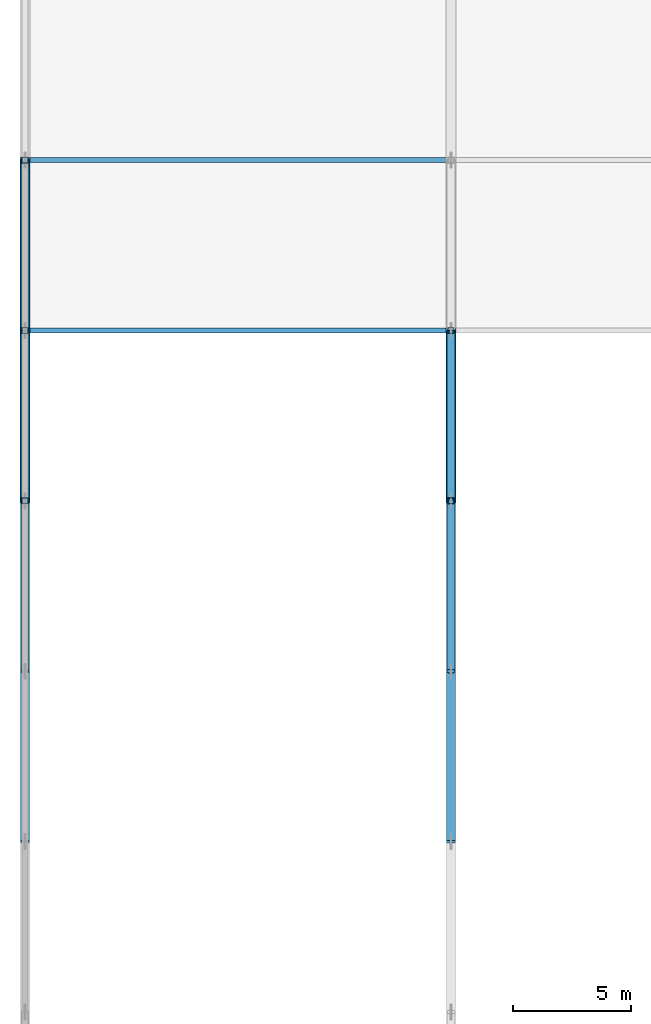
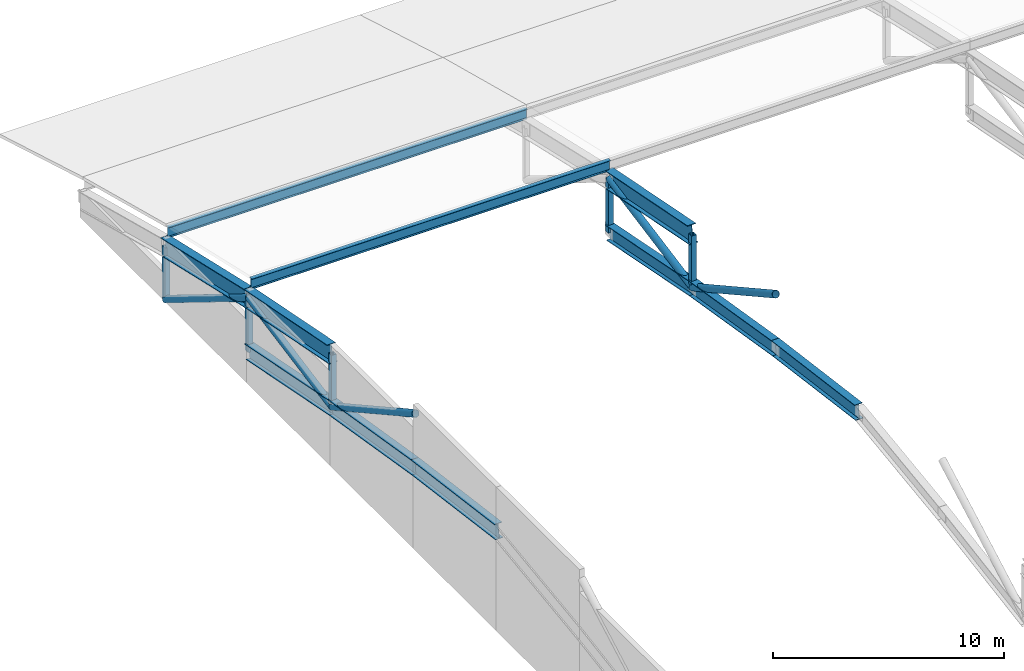
# One storey, part 23 of 124: 21 members.
"""IFC4 building model written with IfcOpenShell, lengths in metres."""

from ifc_helpers import new_model, si_unit, direction, frame, origin, origin_2d, place, context, subcontext, project, spatial, hollow_rectangle, hollow_circle, i_section, extrude, material, material_profile, profile_set, type_object, element, save


model = new_model("IFC4")

# Units and contexts
model_context = context("Model", 3, precision=1e-05, world=origin(), true_north=direction((0.0, 1.0)))
body_context = subcontext(model_context, "Body", "Model", "MODEL_VIEW")
ifc_project = project(units=[si_unit("LENGTHUNIT", "METRE"), si_unit("AREAUNIT", "SQUARE_METRE"), si_unit("VOLUMEUNIT", "CUBIC_METRE"), si_unit("PLANEANGLEUNIT", "RADIAN"), si_unit("MASSUNIT", "GRAM", prefix="KILO")], contexts=[model_context])

# Site, building, storey
site_placement = place(None, origin())
site = spatial("IfcSite", under=ifc_project, at=site_placement, CompositionType="ELEMENT")
building_placement = place(site_placement, origin())
building = spatial("IfcBuilding", under=site, at=building_placement, Name="Celestram Park Convention Centre", CompositionType="ELEMENT")
storey_placement = place(building_placement, frame((0.0, 0.0, 15.300048828125)))
storey = spatial("IfcBuildingStorey", under=building, at=storey_placement, Name="L03", CompositionType="ELEMENT", Elevation=15.300048828125)

# Members
ifc_material_1 = material(Name="Steel ASTM A500 Grade C", Category="steel")
ifc_material_profile_1 = material_profile(ifc_material_1, hollow_circle(Radius=0.177978515625, WallThickness=0.011962890625, at=origin_2d()), Name="CHS356X12")
ifc_profile_set_1 = profile_set([ifc_material_profile_1], Name="Steel ASTM A500 Grade C")
member_type_1 = type_object("IfcMemberType", Name="STR-BRC-CHS356", PredefinedType="BRACE", material=ifc_profile_set_1)
member_1_placement = place(storey_placement, frame((0.0, 72.0, 6.170166015625), z_axis=(0.0, 0.87474706166, -0.484579795407), x_axis=(-1.0, 0.0, 0.0)))
element("IfcMember", 1, at=member_1_placement, inside=storey, type_object=member_type_1, Name="V1 arch web diagonal", PredefinedType="BRACE", context=body_context, shape_type="SweptSolid", body=[
    extrude(hollow_circle(Radius=0.177978515625, WallThickness=0.011962890625, at=origin_2d()), origin(), (0.0, 0.0, 1.0), 8.23095703125),
])
member_2_placement = place(storey_placement, frame((0.0, 79.199951171875, 2.181640625), z_axis=(0.0, 0.982076449011, 0.188483018595), x_axis=(-1.0, 0.0, 0.0)))
element("IfcMember", 2, at=member_2_placement, inside=storey, type_object=member_type_1, Name="V1 arch web diagonal", PredefinedType="BRACE", context=body_context, shape_type="SweptSolid", body=[
    extrude(hollow_circle(Radius=0.177978515625, WallThickness=0.011962890625, at=origin_2d()), origin(), (0.0, 0.0, 1.0), 7.331298828125),
])
member_3_placement = place(storey_placement, frame((0.0, 86.39990234375, 3.5634765625), z_axis=(0.0, 0.850741852858, -0.525583770483), x_axis=(-1.0, 0.0, 0.0)))
element("IfcMember", 3, at=member_3_placement, inside=storey, type_object=member_type_1, Name="V1 arch web diagonal", PredefinedType="BRACE", context=body_context, shape_type="SweptSolid", body=[
    extrude(hollow_circle(Radius=0.177978515625, WallThickness=0.011962890625, at=origin_2d()), origin(), (0.0, 0.0, 1.0), 8.46337890625),
])
member_4_placement = place(storey_placement, frame((18.0, 72.0, 6.170166015625), z_axis=(0.0, 0.87474706166, -0.484579795407), x_axis=(-1.0, 0.0, 0.0)))
element("IfcMember", 4, at=member_4_placement, inside=storey, type_object=member_type_1, Name="V1 arch web diagonal", PredefinedType="BRACE", context=body_context, shape_type="SweptSolid", body=[
    extrude(hollow_circle(Radius=0.177978515625, WallThickness=0.011962890625, at=origin_2d()), origin(), (0.0, 0.0, 1.0), 8.23095703125),
])
member_5_placement = place(storey_placement, frame((18.0, 79.199951171875, 2.181640625), z_axis=(0.0, 0.982076449011, 0.188483018595), x_axis=(-1.0, 0.0, 0.0)))
element("IfcMember", 5, at=member_5_placement, inside=storey, type_object=member_type_1, Name="V1 arch web diagonal", PredefinedType="BRACE", context=body_context, shape_type="SweptSolid", body=[
    extrude(hollow_circle(Radius=0.177978515625, WallThickness=0.011962890625, at=origin_2d()), origin(), (0.0, 0.0, 1.0), 7.331298828125),
])
ifc_material_2 = material(Name="Steel ASTM A992 Grade 50", Category="steel")
ifc_material_profile_2 = material_profile(ifc_material_2, i_section(OverallWidth=0.381103515625, OverallDepth=0.77197265625, WebThickness=0.0166015625, FlangeThickness=0.027099609375, at=origin_2d()), Name="W30X173")
ifc_profile_set_2 = profile_set([ifc_material_profile_2], Name="Steel ASTM A992 Grade 50")
member_type_2 = type_object("IfcMemberType", Name="STR-CHD-W30X173", PredefinedType="CHORD", material=ifc_profile_set_2)
member_6_placement = place(storey_placement, frame((0.0, 64.800048828125, 4.328369140625), z_axis=(0.0, 0.991259283276, -0.131928136952), x_axis=(-1.0, 0.0, 0.0)))
element("IfcMember", 6, at=member_6_placement, inside=storey, type_object=member_type_2, Name="V1 arch bottom chord", PredefinedType="CHORD", context=body_context, shape_type="SweptSolid", body=[
    extrude(i_section(OverallWidth=0.381103515625, OverallDepth=0.77197265625, WebThickness=0.0166015625, FlangeThickness=0.027099609375, at=origin_2d()), origin(), (0.0, 0.0, 1.0), 7.263427734375),
])
member_7_placement = place(storey_placement, frame((0.0, 72.0, 3.3701171875), z_axis=(0.0, 0.986648621514, -0.162863432557), x_axis=(-1.0, 0.0, 0.0)))
element("IfcMember", 7, at=member_7_placement, inside=storey, type_object=member_type_2, Name="V1 arch bottom chord", PredefinedType="CHORD", context=body_context, shape_type="SweptSolid", body=[
    extrude(i_section(OverallWidth=0.381103515625, OverallDepth=0.77197265625, WebThickness=0.0166015625, FlangeThickness=0.027099609375, at=origin_2d()), origin(), (0.0, 0.0, 1.0), 7.29736328125),
])
member_8_placement = place(storey_placement, frame((0.0, 79.199951171875, 2.181640625), z_axis=(0.0, 0.981147221646, -0.193261815827), x_axis=(-1.0, 0.0, 0.0)))
element("IfcMember", 8, at=member_8_placement, inside=storey, type_object=member_type_2, Name="V1 arch bottom chord", PredefinedType="CHORD", context=body_context, shape_type="SweptSolid", body=[
    extrude(i_section(OverallWidth=0.381103515625, OverallDepth=0.77197265625, WebThickness=0.0166015625, FlangeThickness=0.027099609375, at=origin_2d()), origin(), (0.0, 0.0, 1.0), 7.33837890625),
])
member_9_placement = place(storey_placement, frame((18.0, 64.800048828125, 4.328369140625), z_axis=(0.0, 0.991259283276, -0.131928136952), x_axis=(-1.0, 0.0, 0.0)))
element("IfcMember", 9, at=member_9_placement, inside=storey, type_object=member_type_2, Name="V1 arch bottom chord", PredefinedType="CHORD", context=body_context, shape_type="SweptSolid", body=[
    extrude(i_section(OverallWidth=0.381103515625, OverallDepth=0.77197265625, WebThickness=0.0166015625, FlangeThickness=0.027099609375, at=origin_2d()), origin(), (0.0, 0.0, 1.0), 7.263427734375),
])
member_10_placement = place(storey_placement, frame((18.0, 72.0, 3.3701171875), z_axis=(0.0, 0.986648621514, -0.162863432557), x_axis=(-1.0, 0.0, 0.0)))
element("IfcMember", 10, at=member_10_placement, inside=storey, type_object=member_type_2, Name="V1 arch bottom chord", PredefinedType="CHORD", context=body_context, shape_type="SweptSolid", body=[
    extrude(i_section(OverallWidth=0.381103515625, OverallDepth=0.77197265625, WebThickness=0.0166015625, FlangeThickness=0.027099609375, at=origin_2d()), origin(), (0.0, 0.0, 1.0), 7.29736328125),
])
member_11_placement = place(storey_placement, frame((18.0, 79.199951171875, 2.181640625), z_axis=(0.0, 0.981147221646, -0.193261815827), x_axis=(-1.0, 0.0, 0.0)))
element("IfcMember", 11, at=member_11_placement, inside=storey, type_object=member_type_2, Name="V1 arch bottom chord", PredefinedType="CHORD", context=body_context, shape_type="SweptSolid", body=[
    extrude(i_section(OverallWidth=0.381103515625, OverallDepth=0.77197265625, WebThickness=0.0166015625, FlangeThickness=0.027099609375, at=origin_2d()), origin(), (0.0, 0.0, 1.0), 7.33837890625),
])
ifc_material_profile_3 = material_profile(ifc_material_2, i_section(OverallWidth=0.4189453125, OverallDepth=0.927001953125, WebThickness=0.019287109375, FlangeThickness=0.031982421875, at=origin_2d()), Name="W36X231")
ifc_profile_set_3 = profile_set([ifc_material_profile_3], Name="Steel ASTM A992 Grade 50")
member_type_3 = type_object("IfcMemberType", Name="STR-CHD-W36X231", PredefinedType="CHORD", material=ifc_profile_set_3)
member_12_placement = place(storey_placement, frame((0.0, 79.199951171875, 4.981689453125), z_axis=(0.0, 0.981147221646, -0.193261815827), x_axis=(-1.0, 0.0, 0.0)))
element("IfcMember", 12, at=member_12_placement, inside=storey, type_object=member_type_3, Name="V1 arch top chord", PredefinedType="CHORD", context=body_context, shape_type="SweptSolid", body=[
    extrude(i_section(OverallWidth=0.4189453125, OverallDepth=0.927001953125, WebThickness=0.019287109375, FlangeThickness=0.031982421875, at=origin_2d()), origin(), (0.0, 0.0, 1.0), 7.33837890625),
])
member_13_placement = place(storey_placement, frame((0.0, 86.39990234375, 3.5634765625), z_axis=(0.0, 0.974779673899, -0.223169414016), x_axis=(-1.0, 0.0, 0.0)))
element("IfcMember", 13, at=member_13_placement, inside=storey, type_object=member_type_3, Name="V1 arch top chord", PredefinedType="CHORD", context=body_context, shape_type="SweptSolid", body=[
    extrude(i_section(OverallWidth=0.4189453125, OverallDepth=0.927001953125, WebThickness=0.019287109375, FlangeThickness=0.031982421875, at=origin_2d()), origin(), (0.0, 0.0, 1.0), 7.386474609375),
])
member_14_placement = place(storey_placement, frame((18.0, 79.199951171875, 4.981689453125), z_axis=(0.0, 0.981147221646, -0.193261815827), x_axis=(-1.0, 0.0, 0.0)))
element("IfcMember", 14, at=member_14_placement, inside=storey, type_object=member_type_3, Name="V1 arch top chord", PredefinedType="CHORD", context=body_context, shape_type="SweptSolid", body=[
    extrude(i_section(OverallWidth=0.4189453125, OverallDepth=0.927001953125, WebThickness=0.019287109375, FlangeThickness=0.031982421875, at=origin_2d()), origin(), (0.0, 0.0, 1.0), 7.33837890625),
])
ifc_material_profile_4 = material_profile(ifc_material_2, i_section(OverallWidth=0.2099609375, OverallDepth=0.532958984375, WebThickness=0.01025390625, FlangeThickness=0.015625, at=origin_2d()), Name="W21X62")
ifc_profile_set_4 = profile_set([ifc_material_profile_4], Name="Steel ASTM A992 Grade 50")
member_type_4 = type_object("IfcMemberType", Name="STR-RFT-W21X62", PredefinedType="RAFTER", material=ifc_profile_set_4)
for number, where, z_axis, x_axis, name in (
    (15, (0.080078125, 86.39990234375, 4.29345703125), (1.0, 0.0, 0.0), (0.0, 1.0, 0.0), "V1 roof purlin"),
    (16, (0.080078125, 93.60009765625, 2.645263671875), (1.0, 0.0, 0.0), (0.0, 1.0, 0.0), "V1 roof purlin"),
):
    element("IfcMember", number, at=place(storey_placement, frame(where, z_axis=z_axis, x_axis=x_axis)), inside=storey, type_object=member_type_4, Name=name, PredefinedType="RAFTER", context=body_context, shape_type="SweptSolid", body=[
        extrude(i_section(OverallWidth=0.2099609375, OverallDepth=0.532958984375, WebThickness=0.01025390625, FlangeThickness=0.015625, at=origin_2d()), origin(), (0.0, 0.0, 1.0), 17.919921875),
    ])
ifc_material_profile_5 = material_profile(ifc_material_1, hollow_rectangle(XDim=0.25, YDim=0.25, WallThickness=0.011962890625, at=origin_2d()), Name="HSS250X250X12")
ifc_profile_set_5 = profile_set([ifc_material_profile_5], Name="Steel ASTM A500 Grade C")
member_type_5 = type_object("IfcMemberType", Name="STR-STR-HSS250", PredefinedType="STRUT", material=ifc_profile_set_5)
for number, where, z_axis, x_axis, name in (
    (17, (0.0, 79.199951171875, 2.181640625), (0.0, 0.0, 1.0), (1.0, 0.0, 0.0), "V1 arch vertical strut"),
    (18, (0.0, 86.39990234375, 0.763427734375), (0.0, 0.0, 1.0), (1.0, 0.0, 0.0), "V1 arch vertical strut"),
):
    element("IfcMember", number, at=place(storey_placement, frame(where, z_axis=z_axis, x_axis=x_axis)), inside=storey, type_object=member_type_5, Name=name, PredefinedType="STRUT", context=body_context, shape_type="SweptSolid", body=[
        extrude(hollow_rectangle(XDim=0.25, YDim=0.25, WallThickness=0.011962890625, at=origin_2d()), origin(), (0.0, 0.0, 1.0), 2.800048828125),
    ])
member_15_placement = place(storey_placement, frame((0.0, 93.60009765625, -0.884765625), z_axis=(0.0, 0.0, 1.0), x_axis=(1.0, 0.0, 0.0)))
element("IfcMember", 19, at=member_15_placement, inside=storey, type_object=member_type_5, Name="V1 arch vertical strut", PredefinedType="STRUT", context=body_context, shape_type="SweptSolid", body=[
    extrude(hollow_rectangle(XDim=0.25, YDim=0.25, WallThickness=0.011962890625, at=origin_2d()), origin(), (0.0, 0.0, 1.0), 2.7998046875),
])
for number, where, z_axis, x_axis, name in (
    (20, (18.0, 79.199951171875, 2.181640625), (0.0, 0.0, 1.0), (1.0, 0.0, 0.0), "V1 arch vertical strut"),
    (21, (18.0, 86.39990234375, 0.763427734375), (0.0, 0.0, 1.0), (1.0, 0.0, 0.0), "V1 arch vertical strut"),
):
    element("IfcMember", number, at=place(storey_placement, frame(where, z_axis=z_axis, x_axis=x_axis)), inside=storey, type_object=member_type_5, Name=name, PredefinedType="STRUT", context=body_context, shape_type="SweptSolid", body=[
        extrude(hollow_rectangle(XDim=0.25, YDim=0.25, WallThickness=0.011962890625, at=origin_2d()), origin(), (0.0, 0.0, 1.0), 2.800048828125),
    ])

save(model, "model.ifc")
